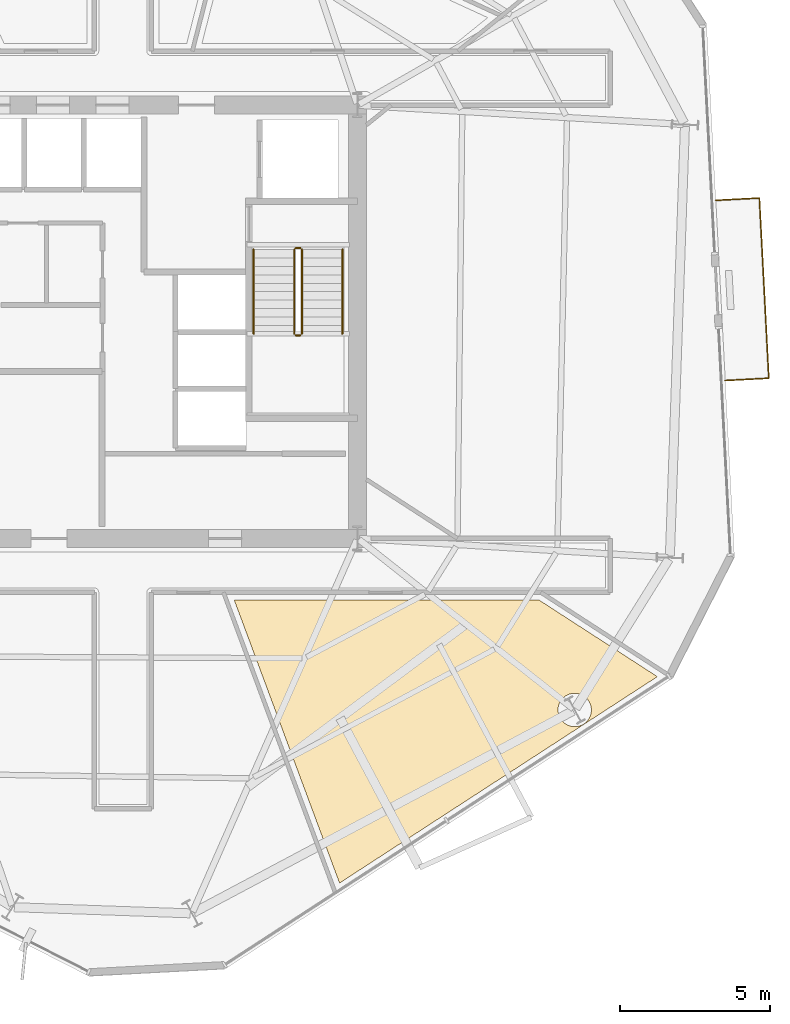
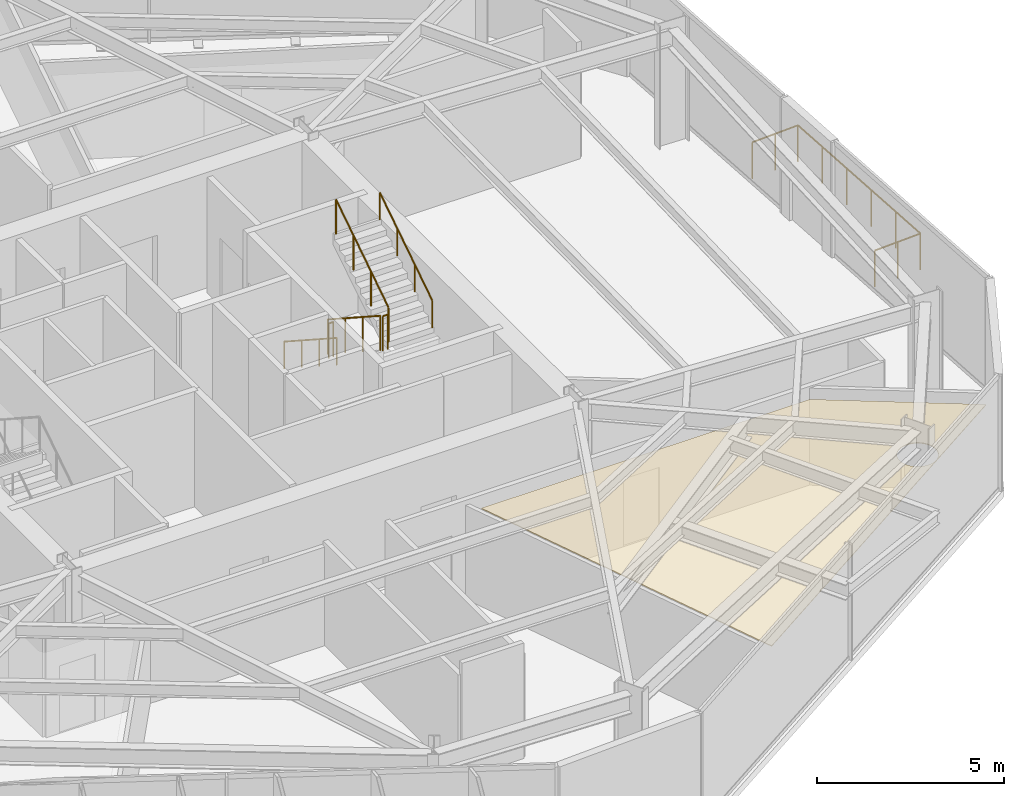
# One storey, part 11 of 12: 7 railings, 1 covering.
"""IFC4 building model written with IfcOpenShell, lengths in metres."""

from ifc_helpers import new_model, si_unit, direction, frame, origin, origin_2d, place, context, subcontext, project, spatial, polyline, circle, outline, extrude, material, layer, layer_set, type_object, element, save


model = new_model("IFC4")

# Units and contexts
model_context = context("Model", 3, precision=1e-05, world=origin(), true_north=direction((0.0, 1.0)))
body_context = subcontext(model_context, "Body", "Model", "MODEL_VIEW")
ifc_project = project(units=[si_unit("LENGTHUNIT", "METRE"), si_unit("AREAUNIT", "SQUARE_METRE"), si_unit("VOLUMEUNIT", "CUBIC_METRE"), si_unit("PLANEANGLEUNIT", "RADIAN"), si_unit("MASSUNIT", "GRAM", prefix="KILO")], contexts=[model_context])

# Site, building, storey
site_placement = place(None, origin())
site = spatial("IfcSite", under=ifc_project, at=site_placement, CompositionType="ELEMENT")
building_placement = place(site_placement, origin())
building = spatial("IfcBuilding", under=site, at=building_placement, Name="Kranzbogen Civic Tower", CompositionType="ELEMENT")
storey_placement = place(building_placement, frame((0.0, 0.0, 154.39990234375)))
storey = spatial("IfcBuildingStorey", under=building, at=storey_placement, Name="L37", CompositionType="ELEMENT", Elevation=154.39990234375)

# Railings
ifc_material_1 = material(Name="Anodised Bronze Aluminium", Category="aluminium")
railing_type_1 = type_object("IfcRailingType", Name="Cantilevered Balcony Glass and Bronze Balustrade 1200", PredefinedType="BALUSTRADE", material=ifc_material_1)
railing_1_placement = place(storey_placement, frame((45.030029296875, 23.0458984375, 0.0)))
element("IfcRailing", 1, at=railing_1_placement, inside=storey, type_object=railing_type_1, Name="L37 exterior terrace balustrade L37-TB2", PredefinedType="BALUSTRADE", context=body_context, shape_type="SweptSolid", body=[
    extrude(circle(Radius=0.02392578125, at=origin_2d()), frame((0.0, 0.0, 1.17578125), z_axis=(0.998619224335, 0.052532321361, 0.0), x_axis=(-0.052532321361, 0.998619224335, 0.0)), (0.0, 0.0, 1.0), 1.449951171875),
    extrude(circle(Radius=0.02392578125, at=origin_2d()), frame((1.447998046875, 0.076171875, 1.17578125), z_axis=(-0.052334556259, 0.998629608124, 0.0), x_axis=(-0.998629608124, -0.052334556259, 0.0)), (0.0, 0.0, 1.0), 5.999267578125),
    extrude(circle(Radius=0.02392578125, at=origin_2d()), frame((1.134033203125, 6.067138671875, 1.17578125), z_axis=(-0.9986280431, -0.05236441096, 0.0), x_axis=(0.05236441096, -0.9986280431, 0.0)), (0.0, 0.0, 1.0), 1.449951171875),
    extrude(circle(Radius=0.02099609375, at=origin_2d()), origin(), (0.0, 0.0, 1.0), 1.15185546875),
    extrude(circle(Radius=0.02099609375, at=origin_2d()), frame((0.72412109375, 0.0380859375, 0.0)), (0.0, 0.0, 1.0), 1.15185546875),
    extrude(circle(Radius=0.02099609375, at=origin_2d()), frame((1.447998046875, 0.076171875, 0.0)), (0.0, 0.0, 1.0), 1.15185546875),
    extrude(circle(Radius=0.02099609375, at=origin_2d()), frame((1.38525390625, 1.2744140625, 0.0)), (0.0, 0.0, 1.0), 1.15185546875),
    extrude(circle(Radius=0.02099609375, at=origin_2d()), frame((1.322509765625, 2.47265625, 0.0)), (0.0, 0.0, 1.0), 1.15185546875),
    extrude(circle(Radius=0.02099609375, at=origin_2d()), frame((1.259521484375, 3.670654296875, 0.0)), (0.0, 0.0, 1.0), 1.15185546875),
    extrude(circle(Radius=0.02099609375, at=origin_2d()), frame((1.19677734375, 4.868896484375, 0.0)), (0.0, 0.0, 1.0), 1.15185546875),
    extrude(circle(Radius=0.02099609375, at=origin_2d()), frame((1.134033203125, 6.067138671875, 0.0)), (0.0, 0.0, 1.0), 1.15185546875),
    extrude(circle(Radius=0.02099609375, at=origin_2d()), frame((0.41015625, 6.029296875, 0.0)), (0.0, 0.0, 1.0), 1.15185546875),
    extrude(circle(Radius=0.02099609375, at=origin_2d()), frame((-0.31396484375, 5.9912109375, 0.0)), (0.0, 0.0, 1.0), 1.15185546875),
])
ifc_material_2 = material(Name="Steel S355", Category="steel")
railing_type_2 = type_object("IfcRailingType", Name="Internal Stair and Void Steel Guardrail 1150", PredefinedType="GUARDRAIL", material=ifc_material_2)
railing_2_placement = place(storey_placement, frame((30.699951171875, 27.39990234375, 0.181884765625)))
element("IfcRailing", 2, at=railing_2_placement, inside=storey, type_object=railing_type_2, Name="L37 ST-T2 stair guard 1", PredefinedType="GUARDRAIL", context=body_context, shape_type="SweptSolid", body=[
    extrude(circle(Radius=0.02392578125, at=origin_2d()), frame((0.0, 0.0, 1.1259765625), z_axis=(0.0, -0.83868413941, 0.544618136222), x_axis=(1.0, 0.0, 0.0)), (0.0, 0.0, 1.0), 3.33837890625),
    extrude(circle(Radius=0.02099609375, at=origin_2d()), origin(), (0.0, 0.0, 1.0), 1.101806640625),
    extrude(circle(Radius=0.02099609375, at=origin_2d()), frame((0.0, -0.933349609375, 0.60595703125)), (0.0, 0.0, 1.0), 1.101806640625),
    extrude(circle(Radius=0.02099609375, at=origin_2d()), frame((0.0, -1.866455078125, 1.212158203125)), (0.0, 0.0, 1.0), 1.101806640625),
    extrude(circle(Radius=0.02099609375, at=origin_2d()), frame((0.0, -2.7998046875, 1.818115234375)), (0.0, 0.0, 1.0), 1.101806640625),
])
railing_3_placement = place(storey_placement, frame((30.75, 24.550048828125, 2.0)))
element("IfcRailing", 3, at=railing_3_placement, inside=storey, type_object=railing_type_2, Name="L37 ST-T2 stair guard 2", PredefinedType="GUARDRAIL", context=body_context, shape_type="SweptSolid", body=[
    extrude(circle(Radius=0.02392578125, at=origin_2d()), frame((0.0, 0.0, 1.1259765625), z_axis=(1.0, 0.0, 0.0), x_axis=(0.0, 1.0, 0.0)), (0.0, 0.0, 1.0), 0.14990234375),
    extrude(circle(Radius=0.02099609375, at=origin_2d()), origin(), (0.0, 0.0, 1.0), 1.101806640625),
    extrude(circle(Radius=0.02099609375, at=origin_2d()), frame((0.14990234375, 0.0, 0.0)), (0.0, 0.0, 1.0), 1.101806640625),
])
railing_4_placement = place(storey_placement, frame((30.949951171875, 24.60009765625, 2.181884765625)))
element("IfcRailing", 4, at=railing_4_placement, inside=storey, type_object=railing_type_2, Name="L37 ST-T2 stair guard 3", PredefinedType="GUARDRAIL", context=body_context, shape_type="SweptSolid", body=[
    extrude(circle(Radius=0.02392578125, at=origin_2d()), frame((0.0, 0.0, 1.1259765625), z_axis=(0.0, 0.83868413941, 0.544618136222), x_axis=(-1.0, 0.0, 0.0)), (0.0, 0.0, 1.0), 3.33837890625),
    extrude(circle(Radius=0.02099609375, at=origin_2d()), origin(), (0.0, 0.0, 1.0), 1.101806640625),
    extrude(circle(Radius=0.02099609375, at=origin_2d()), frame((0.0, 0.933349609375, 0.60595703125)), (0.0, 0.0, 1.0), 1.101806640625),
    extrude(circle(Radius=0.02099609375, at=origin_2d()), frame((0.0, 1.866455078125, 1.212158203125)), (0.0, 0.0, 1.0), 1.101806640625),
    extrude(circle(Radius=0.02099609375, at=origin_2d()), frame((0.0, 2.7998046875, 1.818115234375)), (0.0, 0.0, 1.0), 1.101806640625),
])
railing_5_placement = place(storey_placement, frame((30.75, 27.449951171875, 0.0)))
element("IfcRailing", 5, at=railing_5_placement, inside=storey, type_object=railing_type_2, Name="L37 ST-T2 stair guard 4", PredefinedType="GUARDRAIL", context=body_context, shape_type="SweptSolid", body=[
    extrude(circle(Radius=0.02392578125, at=origin_2d()), frame((0.0, 0.0, 1.1259765625), z_axis=(1.0, 0.0, 0.0), x_axis=(0.0, 1.0, 0.0)), (0.0, 0.0, 1.0), 0.14990234375),
    extrude(circle(Radius=0.02099609375, at=origin_2d()), origin(), (0.0, 0.0, 1.0), 1.101806640625),
    extrude(circle(Radius=0.02099609375, at=origin_2d()), frame((0.14990234375, 0.0, 0.0)), (0.0, 0.0, 1.0), 1.101806640625),
])

# Covering
ifc_material_3 = material(Name="Perforated Acoustic Gypsum Ceiling")
ifc_layer = layer(ifc_material_3, 0.02490234375, Name="Perforated Acoustic Gypsum Ceiling")
ifc_layer_set = layer_set([ifc_layer], Name="Perforated Acoustic Gypsum Ceiling")
covering_type = type_object("IfcCoveringType", Name="Perforated Acoustic Mineral Ceiling Tile 25 mm", PredefinedType="CEILING", material=ifc_layer_set)
covering_placement = place(storey_placement, frame((0.0, 0.0, 2.900146484375)))
element("IfcCovering", 6, at=covering_placement, inside=storey, type_object=covering_type, Name="L37 Policy Seminar Room acoustic ceiling", PredefinedType="CEILING", context=body_context, shape_type="SweptSolid", body=[
    extrude(outline(polyline([(28.700927734375, 15.7548828125), (38.825927734375, 15.7548828125), (42.77099609375, 13.199951171875), (32.205078125, 6.337890625), (28.700927734375, 15.7548828125)]), holes=[polyline([(40.534912109375, 11.8798828125), (40.511962890625, 11.8310546875), (40.48388671875, 11.783935546875), (40.451904296875, 11.739990234375), (40.4150390625, 11.699951171875), (40.375, 11.6630859375), (40.3310546875, 11.631103515625), (40.283935546875, 11.60302734375), (40.235107421875, 11.580078125), (40.18408203125, 11.56201171875), (40.131103515625, 11.548095703125), (40.076904296875, 11.5400390625), (40.02294921875, 11.5380859375), (39.968994140625, 11.5400390625), (39.9150390625, 11.548095703125), (39.862060546875, 11.56201171875), (39.81103515625, 11.580078125), (39.761962890625, 11.60302734375), (39.715087890625, 11.631103515625), (39.6708984375, 11.6630859375), (39.631103515625, 11.699951171875), (39.593994140625, 11.739990234375), (39.56201171875, 11.783935546875), (39.533935546875, 11.8310546875), (39.510986328125, 11.8798828125), (39.492919921875, 11.930908203125), (39.47900390625, 11.98388671875), (39.470947265625, 12.0380859375), (39.468994140625, 12.092041015625), (39.470947265625, 12.14599609375), (39.47900390625, 12.199951171875), (39.492919921875, 12.2529296875), (39.510986328125, 12.303955078125), (39.533935546875, 12.35302734375), (39.56201171875, 12.39990234375), (39.593994140625, 12.444091796875), (39.631103515625, 12.48388671875), (39.6708984375, 12.52099609375), (39.715087890625, 12.552978515625), (39.761962890625, 12.5810546875), (39.81103515625, 12.60400390625), (39.862060546875, 12.6220703125), (39.9150390625, 12.635986328125), (39.968994140625, 12.64404296875), (40.02294921875, 12.64599609375), (40.076904296875, 12.64404296875), (40.131103515625, 12.635986328125), (40.18408203125, 12.6220703125), (40.235107421875, 12.60400390625), (40.283935546875, 12.5810546875), (40.3310546875, 12.552978515625), (40.375, 12.52099609375), (40.4150390625, 12.48388671875), (40.451904296875, 12.444091796875), (40.48388671875, 12.39990234375), (40.511962890625, 12.35302734375), (40.534912109375, 12.303955078125), (40.552978515625, 12.2529296875), (40.56689453125, 12.199951171875), (40.574951171875, 12.14599609375), (40.576904296875, 12.092041015625), (40.574951171875, 12.0380859375), (40.56689453125, 11.98388671875), (40.552978515625, 11.930908203125), (40.534912109375, 11.8798828125)])]), origin(), (0.0, 0.0, 1.0), 0.02490234375),
])

# Railings
ifc_material_4 = material(Name="Pale Anodised Aluminium", Category="aluminium")
railing_type_3 = type_object("IfcRailingType", Name="Tubular Stainless Stair Wall Handrail 900", PredefinedType="HANDRAIL", material=ifc_material_4)
railing_6_placement = place(storey_placement, frame((29.35009765625, 27.39990234375, 0.181884765625)))
element("IfcRailing", 7, at=railing_6_placement, inside=storey, type_object=railing_type_3, Name="L37 ST-T2 stair handrail 1", PredefinedType="HANDRAIL", context=body_context, shape_type="SweptSolid", body=[
    extrude(circle(Radius=0.02392578125, at=origin_2d()), frame((0.0, 0.0, 0.8759765625), z_axis=(0.0, -0.83868413941, 0.544618136222), x_axis=(1.0, 0.0, 0.0)), (0.0, 0.0, 1.0), 3.33837890625),
    extrude(circle(Radius=0.02099609375, at=origin_2d()), origin(), (0.0, 0.0, 1.0), 0.851806640625),
    extrude(circle(Radius=0.02099609375, at=origin_2d()), frame((0.0, -0.933349609375, 0.60595703125)), (0.0, 0.0, 1.0), 0.851806640625),
    extrude(circle(Radius=0.02099609375, at=origin_2d()), frame((0.0, -1.866455078125, 1.212158203125)), (0.0, 0.0, 1.0), 0.851806640625),
    extrude(circle(Radius=0.02099609375, at=origin_2d()), frame((0.0, -2.7998046875, 1.818115234375)), (0.0, 0.0, 1.0), 0.851806640625),
])
railing_7_placement = place(storey_placement, frame((32.300048828125, 24.60009765625, 2.181884765625)))
element("IfcRailing", 8, at=railing_7_placement, inside=storey, type_object=railing_type_3, Name="L37 ST-T2 stair handrail 2", PredefinedType="HANDRAIL", context=body_context, shape_type="SweptSolid", body=[
    extrude(circle(Radius=0.02392578125, at=origin_2d()), frame((0.0, 0.0, 0.8759765625), z_axis=(0.0, 0.83868413941, 0.544618136222), x_axis=(-1.0, 0.0, 0.0)), (0.0, 0.0, 1.0), 3.33837890625),
    extrude(circle(Radius=0.02099609375, at=origin_2d()), origin(), (0.0, 0.0, 1.0), 0.851806640625),
    extrude(circle(Radius=0.02099609375, at=origin_2d()), frame((0.0, 0.933349609375, 0.60595703125)), (0.0, 0.0, 1.0), 0.851806640625),
    extrude(circle(Radius=0.02099609375, at=origin_2d()), frame((0.0, 1.866455078125, 1.212158203125)), (0.0, 0.0, 1.0), 0.851806640625),
    extrude(circle(Radius=0.02099609375, at=origin_2d()), frame((0.0, 2.7998046875, 1.818115234375)), (0.0, 0.0, 1.0), 0.851806640625),
])

save(model, "model.ifc")
